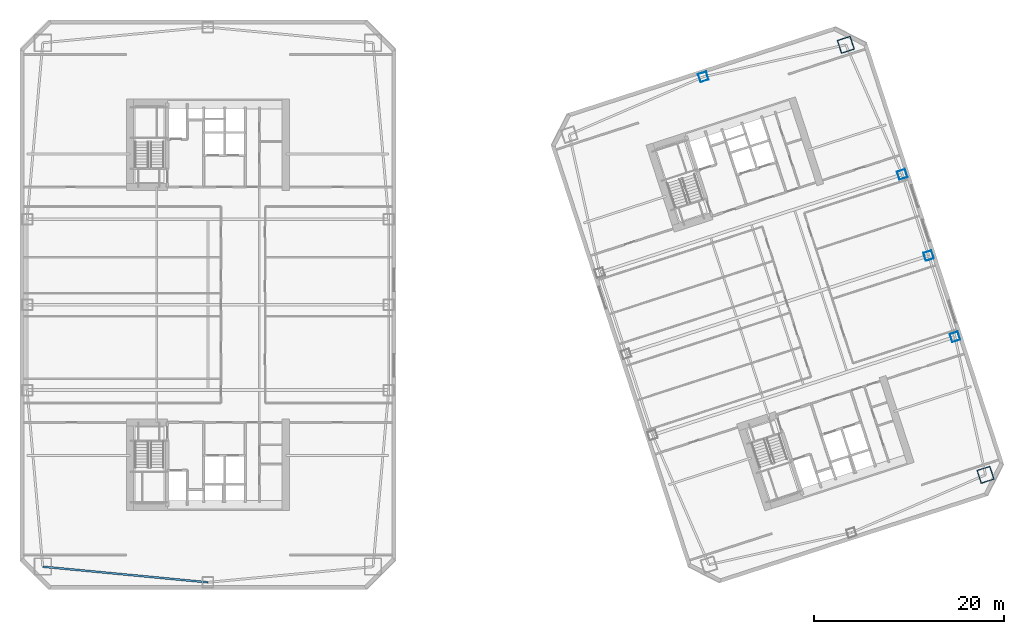
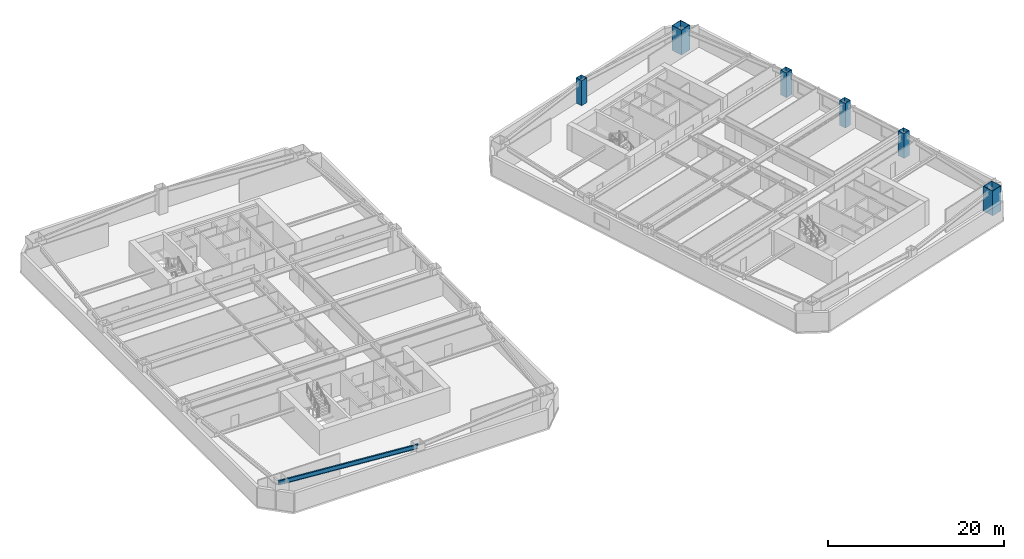
# One storey, part 2 of 13: 6 columns, 1 beam.
"""IFC4 building model written with IfcOpenShell, lengths in metres."""

import ifcopenshell
import ifcopenshell.guid

model = None  # the IFC model being written
_history = None  # IfcOwnerHistory: only IFC2X3 demands one
_inside = {}  # id of a spatial element -> (the spatial element, [elements in it])
_under = {}  # id of a project, library or spatial element -> (it, [spatial elements below it])
_declared = {}  # id of a project -> (the project, [libraries it declares])
_typed = {}  # id of a type object -> (the type object, [elements of that type])
_made_of = {}  # id of a material, layer set ... -> (it, [elements and type objects made of it])


def new_model(schema):
    """Start an empty IFC model of exactly this schema.

    Asked for "IFC4X3", IfcOpenShell would pick the latest addendum, in which some entities
    have other attributes; the version numbers below select the first issue.
    IFC2X3 requires an IfcOwnerHistory on every rooted entity: one is made here for all.
    """
    global model, _history
    if schema == "IFC4X3":
        model = ifcopenshell.file(schema_version=(4, 3, 0, 0))
    else:
        model = ifcopenshell.file(schema=schema)
    _inside.clear()
    _under.clear()
    _declared.clear()
    _typed.clear()
    _made_of.clear()
    _history = None
    if model.schema == "IFC2X3":
        org = make("IfcOrganization", Name="unknown")
        user = make(
            "IfcPersonAndOrganization",
            ThePerson=make("IfcPerson", FamilyName="unknown"),
            TheOrganization=org,
        )
        app = make(
            "IfcApplication",
            ApplicationDeveloper=org,
            Version="unknown",
            ApplicationFullName="unknown",
            ApplicationIdentifier="unknown",
        )
        _history = make(
            "IfcOwnerHistory",
            OwningUser=user,
            OwningApplication=app,
            ChangeAction="ADDED",
            CreationDate=0,
        )
    return model


def make(cls, **values):
    """One entity of the class cls with the attributes given. An attribute that is None is left unset."""
    return model.create_entity(
        cls, **{name: value for name, value in values.items() if value is not None}
    )


def rooted(cls, **values):
    """An entity with a GlobalId (a new one), such as an element, a storey or a relation."""
    return make(cls, GlobalId=ifcopenshell.guid.new(), OwnerHistory=_history, **values)


def si_unit(unit_type, name, prefix=None):
    """IfcSIUnit, for example si_unit("LENGTHUNIT", "METRE", prefix="MILLI")."""
    return make("IfcSIUnit", UnitType=unit_type, Prefix=prefix, Name=name)


def assignment(units):
    """IfcUnitAssignment: the units of a project."""
    return None if units is None else make("IfcUnitAssignment", Units=units)


def point(xyz):
    """IfcCartesianPoint."""
    return None if xyz is None else make("IfcCartesianPoint", Coordinates=xyz)


def direction(xyz):
    """IfcDirection."""
    return None if xyz is None else make("IfcDirection", DirectionRatios=xyz)


def frame(location, z_axis=None, x_axis=None):
    """IfcAxis2Placement3D, a coordinate frame: its origin and axes. An axis left out is left unset."""
    return make(
        "IfcAxis2Placement3D",
        Location=point(location),
        Axis=direction(z_axis),
        RefDirection=direction(x_axis),
    )


def frame_2d(location, x_axis=None):
    """IfcAxis2Placement2D, a coordinate frame in the plane: its origin and x axis."""
    return make(
        "IfcAxis2Placement2D", Location=point(location), RefDirection=direction(x_axis)
    )


def origin():
    """The frame at (0, 0, 0) with its axes left unset."""
    return frame((0.0, 0.0, 0.0))


def origin_2d():
    """The frame at (0, 0) in the plane with its x axis left unset."""
    return frame_2d((0.0, 0.0))


def place(relative_to, where):
    """IfcLocalPlacement: puts the frame where relative to a parent placement (None: the world)."""
    return make(
        "IfcLocalPlacement", PlacementRelTo=relative_to, RelativePlacement=where
    )


def context(
    kind, dimensions, precision=None, world=None, true_north=None, identifier=None
):
    """IfcGeometricRepresentationContext, for example the 3D "Model" context."""
    return make(
        "IfcGeometricRepresentationContext",
        ContextIdentifier=identifier,
        ContextType=kind,
        CoordinateSpaceDimension=dimensions,
        Precision=precision,
        WorldCoordinateSystem=world,
        TrueNorth=true_north,
    )


def subcontext(parent, identifier, kind, view, scale=None):
    """IfcGeometricRepresentationSubContext, for example "Body" below "Model"."""
    return make(
        "IfcGeometricRepresentationSubContext",
        ContextIdentifier=identifier,
        ContextType=kind,
        ParentContext=parent,
        TargetScale=scale,
        TargetView=view,
    )


def project(units=None, contexts=None):
    """IfcProject with its units and contexts."""
    return rooted(
        "IfcProject",
        Name="project",
        RepresentationContexts=contexts,
        UnitsInContext=assignment(units),
    )


def spatial(cls, under=None, at=None, **own):
    """A site, building, storey or space (cls), placed at a placement, below another one or the project."""
    s = rooted(cls, ObjectPlacement=at, **own)
    if under is not None:
        _under.setdefault(under.id(), (under, []))[1].append(s)
    return s


def profile(cls, at=None, kind="AREA", **sizes):
    """A parametric profile (cls). Its sizes go by their IFC names, for example OverallWidth=200.0."""
    return make(cls, ProfileType=kind, Position=at, **sizes)


def hollow_rectangle(**sizes):
    """IfcRectangleHollowProfileDef."""
    return profile("IfcRectangleHollowProfileDef", **sizes)


def i_section(**sizes):
    """IfcIShapeProfileDef."""
    return profile("IfcIShapeProfileDef", **sizes)


def extrude(swept, where, along, depth):
    """IfcExtrudedAreaSolid: the profile swept, set in the frame where, extruded along a direction by depth."""
    return make(
        "IfcExtrudedAreaSolid",
        SweptArea=swept,
        Position=where,
        ExtrudedDirection=direction(along),
        Depth=depth,
    )


def shape(context_of_items, identifier, shape_type, items):
    """IfcShapeRepresentation: the items that make up one representation, for example the "Body"."""
    return make(
        "IfcShapeRepresentation",
        ContextOfItems=context_of_items,
        RepresentationIdentifier=identifier,
        RepresentationType=shape_type,
        Items=items,
    )


def material(Name=None, Category=None):
    """IfcMaterial."""
    return make("IfcMaterial", Name=Name, Category=Category)


def material_profile(
    of_material, cross_section, Name=None, Category=None, Priority=None
):
    """IfcMaterialProfile: a cross section and its material."""
    return make(
        "IfcMaterialProfile",
        Name=Name,
        Material=of_material,
        Profile=cross_section,
        Priority=Priority,
        Category=Category,
    )


def profile_set(profiles, Name=None, composite=None):
    """IfcMaterialProfileSet."""
    return make(
        "IfcMaterialProfileSet",
        Name=Name,
        MaterialProfiles=profiles,
        CompositeProfile=composite,
    )


def made_of(thing, what):
    """Note that an element or type object is made of a material, layer set ...; save() writes the relation."""
    if what is not None:
        _made_of.setdefault(what.id(), (what, []))[1].append(thing)
    return thing


def type_object(cls, material=None, **own):
    """A type object (cls), such as IfcWallType, which elements share."""
    return made_of(rooted(cls, **own), material)


def element(
    cls,
    number,
    at=None,
    inside=None,
    cuts=None,
    type_object=None,
    material=None,
    context=None,
    identifier="Body",
    shape_type=None,
    held_by="IfcProductDefinitionShape",
    body=None,
    shapes=None,
    **own,
):
    """One element of the class cls, such as IfcWall. Its Tag is "e" and its number.

    at: its placement. inside: the storey or other place that contains it. cuts: it is an
    opening in that element (IfcRelVoidsElement). A single representation is given by context,
    identifier, shape_type and body (its items); several are given by shapes. held_by: the class
    of the entity that holds the representations. save() writes the other relations.
    """
    e = rooted(cls, Tag="e%d" % number, ObjectPlacement=at, **own)
    if body is not None:
        shapes = [shape(context, identifier, shape_type, body)]
    if shapes is not None:
        e.Representation = make(held_by, Representations=shapes)
    if inside is not None:
        _inside.setdefault(inside.id(), (inside, []))[1].append(e)
    if cuts is not None:
        rooted(
            "IfcRelVoidsElement", RelatingBuildingElement=cuts, RelatedOpeningElement=e
        )
    if type_object is not None:
        _typed.setdefault(type_object.id(), (type_object, []))[1].append(e)
    return made_of(e, material)


def aggregate(whole, parts):
    """IfcRelAggregates: a whole, such as a stair, and the parts it consists of."""
    return rooted("IfcRelAggregates", RelatingObject=whole, RelatedObjects=parts)


def save(model, path):
    """Write the relations noted so far, then the file.

    IfcRelAggregates (storeys below a building ...), IfcRelContainedInSpatialStructure (elements
    in a storey), IfcRelDefinesByType, IfcRelAssociatesMaterial and IfcRelDeclares: one each for
    every whole, place, type object, material and project.
    """
    for whole, parts in _under.values():
        aggregate(whole, parts)
    for where, things in _inside.values():
        rooted(
            "IfcRelContainedInSpatialStructure",
            RelatedElements=things,
            RelatingStructure=where,
        )
    for kind, things in _typed.values():
        rooted("IfcRelDefinesByType", RelatedObjects=things, RelatingType=kind)
    for what, things in _made_of.values():
        rooted("IfcRelAssociatesMaterial", RelatedObjects=things, RelatingMaterial=what)
    for by, libraries in _declared.values():
        rooted("IfcRelDeclares", RelatingContext=by, RelatedDefinitions=libraries)
    model.write(path)


model = new_model("IFC4")

# Units and contexts
model_context = context("Model", 3, precision=1e-05, world=origin(), true_north=direction((0.0, 1.0)))
body_context = subcontext(model_context, "Body", "Model", "MODEL_VIEW")
ifc_project = project(units=[si_unit("LENGTHUNIT", "METRE"), si_unit("AREAUNIT", "SQUARE_METRE"), si_unit("VOLUMEUNIT", "CUBIC_METRE"), si_unit("PLANEANGLEUNIT", "RADIAN"), si_unit("MASSUNIT", "GRAM", prefix="KILO")], contexts=[model_context])

# Site, building, storey
site_placement = place(None, origin())
site = spatial("IfcSite", under=ifc_project, at=site_placement, CompositionType="ELEMENT")
building_placement = place(site_placement, origin())
building = spatial("IfcBuilding", under=site, at=building_placement, Name="Qiaolan Cultural Towers", CompositionType="ELEMENT")
storey_placement = place(building_placement, frame((0.0, 0.0, 85.10009765625)))
storey = spatial("IfcBuildingStorey", under=building, at=storey_placement, Name="L21", CompositionType="ELEMENT", Elevation=85.10009765625)

# Columns
ifc_material_1 = material(Name="Steel Q420GJB", Category="steel")
ifc_material_profile_1 = material_profile(ifc_material_1, hollow_rectangle(XDim=1.449951171875, YDim=1.449951171875, WallThickness=0.050048828125, at=origin_2d()), Name="BOX1450x1450x50")
ifc_profile_set_1 = profile_set([ifc_material_profile_1], Name="Steel Q420GJB")
column_type_1 = type_object("IfcColumnType", Name="COL-BOX1450x1450x50", PredefinedType="COLUMN", material=ifc_profile_set_1)
for number, where, z_axis, x_axis, name in (
    (1, (111.930908203125, 16.080078125, 0.0), (0.0, 0.0, 1.0), (0.951056516295, 0.309016994375, 0.0), "L21 T2 Perimeter Column MC-SE"),
    (2, (97.20947265625, 61.388427734375, 0.0), (0.0, 0.0, 1.0), (0.951056516295, 0.309016994375, 0.0), "L21 T2 Perimeter Column MC-NE"),
):
    element("IfcColumn", number, at=place(storey_placement, frame(where, z_axis=z_axis, x_axis=x_axis)), inside=storey, type_object=column_type_1, Name=name, PredefinedType="COLUMN", context=body_context, shape_type="SweptSolid", body=[
        extrude(hollow_rectangle(XDim=1.449951171875, YDim=1.449951171875, WallThickness=0.050048828125, at=origin_2d()), origin(), (0.0, 0.0, 1.0), 3.450927734375),
    ])
ifc_material_2 = material(Name="Steel Q355B", Category="steel")
ifc_material_profile_2 = material_profile(ifc_material_2, hollow_rectangle(XDim=0.89990234375, YDim=0.89990234375, WallThickness=0.031982421875, at=origin_2d()), Name="BOX900x900x32")
ifc_profile_set_2 = profile_set([ifc_material_profile_2], Name="Steel Q355B")
column_type_2 = type_object("IfcColumnType", Name="COL-BOX900x900x32", PredefinedType="COLUMN", material=ifc_profile_set_2)
for number, where, z_axis, x_axis, name in (
    (3, (108.71142578125, 30.616455078125, 0.0), (0.0, 0.0, 1.0), (0.951056516295, 0.309016994375, 0.0), "L21 T2 Perimeter Column PC-E1"),
    (4, (105.93017578125, 39.176025390625, 0.0), (0.0, 0.0, 1.0), (0.951056516295, 0.309016994375, 0.0), "L21 T2 Perimeter Column PC-E2"),
    (5, (103.14892578125, 47.735595703125, 0.0), (0.0, 0.0, 1.0), (0.951056516295, 0.309016994375, 0.0), "L21 T2 Perimeter Column PC-E3"),
    (6, (82.197265625, 58.01416015625, 0.0), (0.0, 0.0, 1.0), (0.951056516295, 0.309016994375, 0.0), "L21 T2 Perimeter Column PC-N0"),
):
    element("IfcColumn", number, at=place(storey_placement, frame(where, z_axis=z_axis, x_axis=x_axis)), inside=storey, type_object=column_type_2, Name=name, PredefinedType="COLUMN", context=body_context, shape_type="SweptSolid", body=[
        extrude(hollow_rectangle(XDim=0.89990234375, YDim=0.89990234375, WallThickness=0.031982421875, at=origin_2d()), origin(), (0.0, 0.0, 1.0), 3.450927734375),
    ])

# Beam
ifc_material_3 = material(Name="Steel Q355B", Category="steel")
ifc_material_profile_3 = material_profile(ifc_material_3, i_section(OverallWidth=0.199951171875, OverallDepth=0.60009765625, WebThickness=0.010986328125, FlangeThickness=0.01708984375, at=origin_2d()), Name="HN600x200x11x17")
ifc_profile_set_3 = profile_set([ifc_material_profile_3], Name="Steel Q355B")
beam_type = type_object("IfcBeamType", Name="BM-SPD-HN600x200x11x17", PredefinedType="SPANDREL", material=ifc_profile_set_3)
beam_placement = place(storey_placement, frame((12.60009765625, 6.39990234375, 2.889892578125), z_axis=(0.995534437156, -0.094399070104, 0.0), x_axis=(0.094399070104, 0.995534437156, 0.0)))
element("IfcBeam", 7, at=beam_placement, inside=storey, type_object=beam_type, Name="L21 T1 Perimeter Spandrel Beam 1", PredefinedType="SPANDREL", context=body_context, shape_type="SweptSolid", body=[
    extrude(i_section(OverallWidth=0.199951171875, OverallDepth=0.60009765625, WebThickness=0.010986328125, FlangeThickness=0.01708984375, at=origin_2d()), origin(), (0.0, 0.0, 1.0), 17.47802734375),
])

save(model, "model.ifc")
